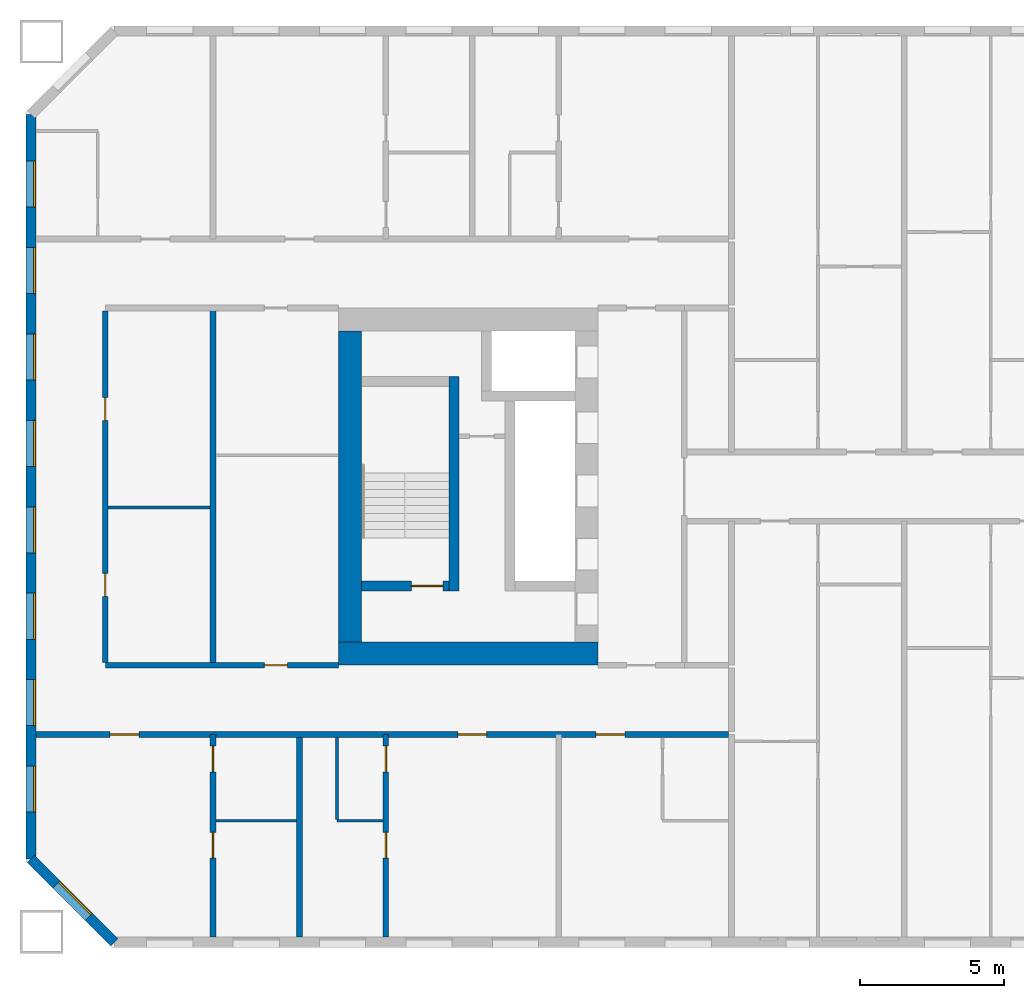
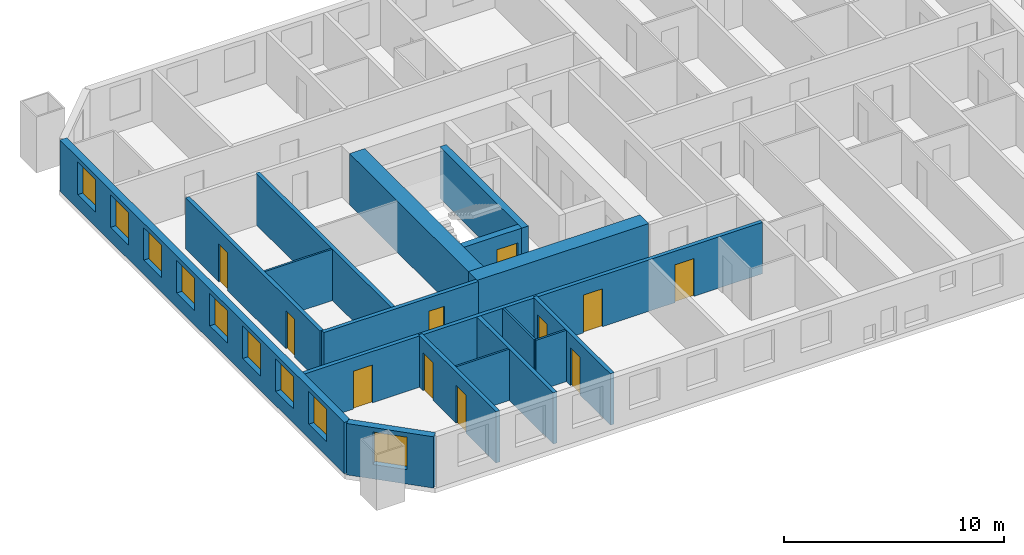
# One storey, part 2 of 16: 17 walls, 11 doors, 9 windows, 20 openings.
"""IFC4 building model written with IfcOpenShell, lengths in metres."""

from ifc_helpers import new_model, si_unit, direction, frame, frame_2d, origin, place, context, subcontext, project, spatial, rectangle, extrude, material, layer, layer_set, type_object, element, fill, save


model = new_model("IFC4")

# Units and contexts
model_context = context("Model", 3, precision=1e-05, world=origin(), true_north=direction((0.0, 1.0)))
body_context = subcontext(model_context, "Body", "Model", "MODEL_VIEW")
ifc_project = project(units=[si_unit("LENGTHUNIT", "METRE"), si_unit("AREAUNIT", "SQUARE_METRE"), si_unit("VOLUMEUNIT", "CUBIC_METRE"), si_unit("PLANEANGLEUNIT", "RADIAN"), si_unit("MASSUNIT", "GRAM", prefix="KILO")], contexts=[model_context])

# Site, building, storey
site_placement = place(None, origin())
site = spatial("IfcSite", under=ifc_project, at=site_placement, CompositionType="ELEMENT")
building_placement = place(site_placement, origin())
building = spatial("IfcBuilding", under=site, at=building_placement, Name="Tuart Gate Housing", CompositionType="ELEMENT")
storey_placement = place(building_placement, frame((0.0, 0.0, 59.800048828125)))
storey = spatial("IfcBuildingStorey", under=building, at=storey_placement, Name="L16", CompositionType="ELEMENT", Elevation=59.800048828125)

# Wall, opening, window
ifc_material_1 = material(Name="Brick", Category="masonry")
ifc_layer_1 = layer(ifc_material_1, 0.360107421875)
ifc_layer_set_1 = layer_set([ifc_layer_1], Name="Brick pier and spandrel wall 360")
wall_type_1 = type_object("IfcWallType", Name="Brick pier and spandrel wall 360", PredefinedType="STANDARD", material=ifc_layer_set_1)
wall_1_placement = place(storey_placement, frame((21.679931640625, 57.07470703125, 0.0), z_axis=(0.0, 0.0, 1.0), x_axis=(0.707106781187, -0.707106781187, 0.0)))
wall_1 = element("IfcWall", 1, at=wall_1_placement, inside=storey, type_object=wall_type_1, Name="External wall A-SW L16", PredefinedType="STANDARD", context=body_context, shape_type="SweptSolid", body=[
    extrude(rectangle(XDim=4.09375, YDim=0.360107421875, at=frame_2d((2.046875, 0.0))), origin(), (0.0, 0.0, 1.0), 2.849853515625),
])
opening_1_placement = place(wall_1_placement, frame((1.2470703125, 0.0, 0.800048828125)))
opening_1 = element("IfcOpeningElement", 2, at=opening_1_placement, cuts=wall_1, Name="Opening W1", PredefinedType="OPENING", context=body_context, shape_type="SweptSolid", body=[
    extrude(rectangle(XDim=1.60009765625, YDim=1.800048828125, at=frame_2d((0.800048828125, 0.89990234375))), frame((0.0, 0.18994140625, 0.0), z_axis=(0.0, -1.0, 0.0), x_axis=(1.0, 0.0, 0.0)), (0.0, 0.0, 1.0), 0.380126953125),
])
ifc_material_2 = material(Name="Aluminium frame with clear glass", Category="aluminium")
window_type = type_object("IfcWindowType", Name="Punched window 1600 x 1800", PartitioningType="SINGLE_PANEL", PredefinedType="WINDOW", material=ifc_material_2)
window_1_placement = place(opening_1_placement, origin())
window_1 = element("IfcWindow", 3, at=window_1_placement, inside=storey, type_object=window_type, Name="Window W1", OverallHeight=1.800048828125, OverallWidth=1.60009765625, PartitioningType="SINGLE_PANEL", PredefinedType="WINDOW", context=body_context, shape_type="SweptSolid", body=[
    extrude(rectangle(XDim=1.60009765625, YDim=1.800048828125, at=frame_2d((0.800048828125, 0.89990234375))), frame((0.0, 0.150146484375, 0.0), z_axis=(0.0, -1.0, 0.0), x_axis=(1.0, 0.0, 0.0)), (0.0, 0.0, 1.0), 0.06005859375),
])
fill(opening_1, window_1)

# Wall, openings, windows
wall_2_placement = place(storey_placement, frame((21.679931640625, 82.92529296875, 0.0), z_axis=(0.0, 0.0, 1.0), x_axis=(0.0, -1.0, 0.0)))
wall_2 = element("IfcWall", 4, at=wall_2_placement, inside=storey, type_object=wall_type_1, Name="External wall A-W L16", PredefinedType="STANDARD", context=body_context, shape_type="SweptSolid", body=[
    extrude(rectangle(XDim=25.850830078125, YDim=0.360107421875, at=frame_2d((12.92529296875, 0.0))), origin(), (0.0, 0.0, 1.0), 2.849853515625),
])
opening_2_placement = place(wall_2_placement, frame((1.62548828125, 0.0, 0.800048828125)))
opening_2 = element("IfcOpeningElement", 5, at=opening_2_placement, cuts=wall_2, Name="Opening W1", PredefinedType="OPENING", context=body_context, shape_type="SweptSolid", body=[
    extrude(rectangle(XDim=1.60009765625, YDim=1.800048828125, at=frame_2d((0.800048828125, 0.89990234375))), frame((0.0, 0.18994140625, 0.0), z_axis=(0.0, -1.0, 0.0), x_axis=(1.0, 0.0, 0.0)), (0.0, 0.0, 1.0), 0.380126953125),
])
opening_3_placement = place(wall_2_placement, frame((4.62548828125, 0.0, 0.800048828125)))
opening_3 = element("IfcOpeningElement", 6, at=opening_3_placement, cuts=wall_2, Name="Opening W1", PredefinedType="OPENING", context=body_context, shape_type="SweptSolid", body=[
    extrude(rectangle(XDim=1.60009765625, YDim=1.800048828125, at=frame_2d((0.800048828125, 0.89990234375))), frame((0.0, 0.18994140625, 0.0), z_axis=(0.0, -1.0, 0.0), x_axis=(1.0, 0.0, 0.0)), (0.0, 0.0, 1.0), 0.380126953125),
])
opening_4_placement = place(wall_2_placement, frame((7.62548828125, 0.0, 0.800048828125)))
opening_4 = element("IfcOpeningElement", 7, at=opening_4_placement, cuts=wall_2, Name="Opening W1", PredefinedType="OPENING", context=body_context, shape_type="SweptSolid", body=[
    extrude(rectangle(XDim=1.60009765625, YDim=1.800048828125, at=frame_2d((0.800048828125, 0.89990234375))), frame((0.0, 0.18994140625, 0.0), z_axis=(0.0, -1.0, 0.0), x_axis=(1.0, 0.0, 0.0)), (0.0, 0.0, 1.0), 0.380126953125),
])
opening_5_placement = place(wall_2_placement, frame((10.62548828125, 0.0, 0.800048828125)))
opening_5 = element("IfcOpeningElement", 8, at=opening_5_placement, cuts=wall_2, Name="Opening W1", PredefinedType="OPENING", context=body_context, shape_type="SweptSolid", body=[
    extrude(rectangle(XDim=1.60009765625, YDim=1.800048828125, at=frame_2d((0.800048828125, 0.89990234375))), frame((0.0, 0.18994140625, 0.0), z_axis=(0.0, -1.0, 0.0), x_axis=(1.0, 0.0, 0.0)), (0.0, 0.0, 1.0), 0.380126953125),
])
opening_6_placement = place(wall_2_placement, frame((13.62548828125, 0.0, 0.800048828125)))
opening_6 = element("IfcOpeningElement", 9, at=opening_6_placement, cuts=wall_2, Name="Opening W1", PredefinedType="OPENING", context=body_context, shape_type="SweptSolid", body=[
    extrude(rectangle(XDim=1.60009765625, YDim=1.800048828125, at=frame_2d((0.800048828125, 0.89990234375))), frame((0.0, 0.18994140625, 0.0), z_axis=(0.0, -1.0, 0.0), x_axis=(1.0, 0.0, 0.0)), (0.0, 0.0, 1.0), 0.380126953125),
])
opening_7_placement = place(wall_2_placement, frame((16.62548828125, 0.0, 0.800048828125)))
opening_7 = element("IfcOpeningElement", 10, at=opening_7_placement, cuts=wall_2, Name="Opening W1", PredefinedType="OPENING", context=body_context, shape_type="SweptSolid", body=[
    extrude(rectangle(XDim=1.60009765625, YDim=1.800048828125, at=frame_2d((0.800048828125, 0.89990234375))), frame((0.0, 0.18994140625, 0.0), z_axis=(0.0, -1.0, 0.0), x_axis=(1.0, 0.0, 0.0)), (0.0, 0.0, 1.0), 0.380126953125),
])
opening_8_placement = place(wall_2_placement, frame((19.62548828125, 0.0, 0.800048828125)))
opening_8 = element("IfcOpeningElement", 11, at=opening_8_placement, cuts=wall_2, Name="Opening W1", PredefinedType="OPENING", context=body_context, shape_type="SweptSolid", body=[
    extrude(rectangle(XDim=1.60009765625, YDim=1.800048828125, at=frame_2d((0.800048828125, 0.89990234375))), frame((0.0, 0.18994140625, 0.0), z_axis=(0.0, -1.0, 0.0), x_axis=(1.0, 0.0, 0.0)), (0.0, 0.0, 1.0), 0.380126953125),
])
opening_9_placement = place(wall_2_placement, frame((22.62548828125, 0.0, 0.800048828125)))
opening_9 = element("IfcOpeningElement", 12, at=opening_9_placement, cuts=wall_2, Name="Opening W1", PredefinedType="OPENING", context=body_context, shape_type="SweptSolid", body=[
    extrude(rectangle(XDim=1.60009765625, YDim=1.800048828125, at=frame_2d((0.800048828125, 0.89990234375))), frame((0.0, 0.18994140625, 0.0), z_axis=(0.0, -1.0, 0.0), x_axis=(1.0, 0.0, 0.0)), (0.0, 0.0, 1.0), 0.380126953125),
])
window_2_placement = place(opening_2_placement, origin())
window_2 = element("IfcWindow", 13, at=window_2_placement, inside=storey, type_object=window_type, Name="Window W1", OverallHeight=1.800048828125, OverallWidth=1.60009765625, PartitioningType="SINGLE_PANEL", PredefinedType="WINDOW", context=body_context, shape_type="SweptSolid", body=[
    extrude(rectangle(XDim=1.60009765625, YDim=1.800048828125, at=frame_2d((0.800048828125, 0.89990234375))), frame((0.0, 0.150146484375, 0.0), z_axis=(0.0, -1.0, 0.0), x_axis=(1.0, 0.0, 0.0)), (0.0, 0.0, 1.0), 0.06005859375),
])
fill(opening_2, window_2)
window_3_placement = place(opening_3_placement, origin())
window_3 = element("IfcWindow", 14, at=window_3_placement, inside=storey, type_object=window_type, Name="Window W1", OverallHeight=1.800048828125, OverallWidth=1.60009765625, PartitioningType="SINGLE_PANEL", PredefinedType="WINDOW", context=body_context, shape_type="SweptSolid", body=[
    extrude(rectangle(XDim=1.60009765625, YDim=1.800048828125, at=frame_2d((0.800048828125, 0.89990234375))), frame((0.0, 0.150146484375, 0.0), z_axis=(0.0, -1.0, 0.0), x_axis=(1.0, 0.0, 0.0)), (0.0, 0.0, 1.0), 0.06005859375),
])
fill(opening_3, window_3)
window_4_placement = place(opening_4_placement, origin())
window_4 = element("IfcWindow", 15, at=window_4_placement, inside=storey, type_object=window_type, Name="Window W1", OverallHeight=1.800048828125, OverallWidth=1.60009765625, PartitioningType="SINGLE_PANEL", PredefinedType="WINDOW", context=body_context, shape_type="SweptSolid", body=[
    extrude(rectangle(XDim=1.60009765625, YDim=1.800048828125, at=frame_2d((0.800048828125, 0.89990234375))), frame((0.0, 0.150146484375, 0.0), z_axis=(0.0, -1.0, 0.0), x_axis=(1.0, 0.0, 0.0)), (0.0, 0.0, 1.0), 0.06005859375),
])
fill(opening_4, window_4)
window_5_placement = place(opening_5_placement, origin())
window_5 = element("IfcWindow", 16, at=window_5_placement, inside=storey, type_object=window_type, Name="Window W1", OverallHeight=1.800048828125, OverallWidth=1.60009765625, PartitioningType="SINGLE_PANEL", PredefinedType="WINDOW", context=body_context, shape_type="SweptSolid", body=[
    extrude(rectangle(XDim=1.60009765625, YDim=1.800048828125, at=frame_2d((0.800048828125, 0.89990234375))), frame((0.0, 0.150146484375, 0.0), z_axis=(0.0, -1.0, 0.0), x_axis=(1.0, 0.0, 0.0)), (0.0, 0.0, 1.0), 0.06005859375),
])
fill(opening_5, window_5)
window_6_placement = place(opening_6_placement, origin())
window_6 = element("IfcWindow", 17, at=window_6_placement, inside=storey, type_object=window_type, Name="Window W1", OverallHeight=1.800048828125, OverallWidth=1.60009765625, PartitioningType="SINGLE_PANEL", PredefinedType="WINDOW", context=body_context, shape_type="SweptSolid", body=[
    extrude(rectangle(XDim=1.60009765625, YDim=1.800048828125, at=frame_2d((0.800048828125, 0.89990234375))), frame((0.0, 0.150146484375, 0.0), z_axis=(0.0, -1.0, 0.0), x_axis=(1.0, 0.0, 0.0)), (0.0, 0.0, 1.0), 0.06005859375),
])
fill(opening_6, window_6)
window_7_placement = place(opening_7_placement, origin())
window_7 = element("IfcWindow", 18, at=window_7_placement, inside=storey, type_object=window_type, Name="Window W1", OverallHeight=1.800048828125, OverallWidth=1.60009765625, PartitioningType="SINGLE_PANEL", PredefinedType="WINDOW", context=body_context, shape_type="SweptSolid", body=[
    extrude(rectangle(XDim=1.60009765625, YDim=1.800048828125, at=frame_2d((0.800048828125, 0.89990234375))), frame((0.0, 0.150146484375, 0.0), z_axis=(0.0, -1.0, 0.0), x_axis=(1.0, 0.0, 0.0)), (0.0, 0.0, 1.0), 0.06005859375),
])
fill(opening_7, window_7)
window_8_placement = place(opening_8_placement, origin())
window_8 = element("IfcWindow", 19, at=window_8_placement, inside=storey, type_object=window_type, Name="Window W1", OverallHeight=1.800048828125, OverallWidth=1.60009765625, PartitioningType="SINGLE_PANEL", PredefinedType="WINDOW", context=body_context, shape_type="SweptSolid", body=[
    extrude(rectangle(XDim=1.60009765625, YDim=1.800048828125, at=frame_2d((0.800048828125, 0.89990234375))), frame((0.0, 0.150146484375, 0.0), z_axis=(0.0, -1.0, 0.0), x_axis=(1.0, 0.0, 0.0)), (0.0, 0.0, 1.0), 0.06005859375),
])
fill(opening_8, window_8)
window_9_placement = place(opening_9_placement, origin())
window_9 = element("IfcWindow", 20, at=window_9_placement, inside=storey, type_object=window_type, Name="Window W1", OverallHeight=1.800048828125, OverallWidth=1.60009765625, PartitioningType="SINGLE_PANEL", PredefinedType="WINDOW", context=body_context, shape_type="SweptSolid", body=[
    extrude(rectangle(XDim=1.60009765625, YDim=1.800048828125, at=frame_2d((0.800048828125, 0.89990234375))), frame((0.0, 0.150146484375, 0.0), z_axis=(0.0, -1.0, 0.0), x_axis=(1.0, 0.0, 0.0)), (0.0, 0.0, 1.0), 0.06005859375),
])
fill(opening_9, window_9)

# Wall, opening, door
ifc_material_3 = material(Name="Concrete C60", Category="concrete")
ifc_layer_2 = layer(ifc_material_3, 0.35009765625)
ifc_layer_set_2 = layer_set([ifc_layer_2], Name="Core wall 350 C60")
wall_type_2 = type_object("IfcWallType", Name="Core wall 350 C60", PredefinedType="SHEAR", material=ifc_layer_set_2)
wall_3_placement = place(storey_placement, frame((36.18505859375, 66.550048828125, 0.0), z_axis=(0.0, 0.0, 1.0), x_axis=(-1.0, 0.0, 0.0)))
wall_3 = element("IfcWall", 21, at=wall_3_placement, inside=storey, type_object=wall_type_2, Name="Core wall AK.5", PredefinedType="SHEAR", context=body_context, shape_type="SweptSolid", body=[
    extrude(rectangle(XDim=3.025146484375, YDim=0.35009765625, at=frame_2d((1.5126953125, 0.0))), origin(), (0.0, 0.0, 1.0), 2.849853515625),
])
opening_10_placement = place(wall_3_placement, frame((0.195068359375, 0.0, 0.0)))
opening_10 = element("IfcOpeningElement", 22, at=opening_10_placement, cuts=wall_3, Name="Opening D753", PredefinedType="OPENING", context=body_context, shape_type="SweptSolid", body=[
    extrude(rectangle(XDim=1.10009765625, YDim=2.10009765625, at=frame_2d((0.550048828125, 1.050048828125))), frame((0.0, 0.18505859375, 0.0), z_axis=(0.0, -1.0, 0.0), x_axis=(1.0, 0.0, 0.0)), (0.0, 0.0, 1.0), 0.3701171875),
])
ifc_material_4 = material(Name="Steel fire door", Category="steel")
door_type_1 = type_object("IfcDoorType", Name="Stair door 1100 x 2100 RH", OperationType="SINGLE_SWING_RIGHT", PredefinedType="DOOR", material=ifc_material_4)
door_1_placement = place(opening_10_placement, frame((1.10009765625, 0.0, 0.0), z_axis=(0.0, 0.0, 1.0), x_axis=(-1.0, 0.0, 0.0)))
door_1 = element("IfcDoor", 23, at=door_1_placement, inside=storey, type_object=door_type_1, Name="Stair door AK.SD", OperationType="SINGLE_SWING_RIGHT", OverallHeight=2.10009765625, OverallWidth=1.10009765625, PredefinedType="DOOR", context=body_context, shape_type="SweptSolid", body=[
    extrude(rectangle(XDim=1.10009765625, YDim=2.10009765625, at=frame_2d((0.550048828125, 1.050048828125))), frame((0.0, 0.025146484375, 0.0), z_axis=(0.0, -1.0, 0.0), x_axis=(1.0, 0.0, 0.0)), (0.0, 0.0, 1.0), 0.050048828125),
])
fill(opening_10, door_1)

# Walls
wall_4_placement = place(storey_placement, frame((36.360107421875, 73.824951171875, 0.0), z_axis=(0.0, 0.0, 1.0), x_axis=(0.0, -1.0, 0.0)))
element("IfcWall", 24, at=wall_4_placement, inside=storey, type_object=wall_type_2, Name="Core wall AK.8", PredefinedType="SHEAR", context=body_context, shape_type="SweptSolid", body=[
    extrude(rectangle(XDim=7.449951171875, YDim=0.35009765625, at=frame_2d((3.72509765625, 0.0))), origin(), (0.0, 0.0, 1.0), 2.849853515625),
])
ifc_material_5 = material(Name="Concrete C60", Category="concrete")
ifc_layer_3 = layer(ifc_material_5, 0.800048828125)
ifc_layer_set_3 = layer_set([ifc_layer_3], Name="Core wall 800 C60")
wall_type_3 = type_object("IfcWallType", Name="Core wall 800 C60", PredefinedType="SHEAR", material=ifc_layer_set_3)
wall_5_placement = place(storey_placement, frame((32.760009765625, 75.39990234375, 0.0), z_axis=(0.0, 0.0, 1.0), x_axis=(0.0, -1.0, 0.0)))
element("IfcWall", 25, at=wall_5_placement, inside=storey, type_object=wall_type_3, Name="Core wall AK back", PredefinedType="SHEAR", context=body_context, shape_type="SweptSolid", body=[
    extrude(rectangle(XDim=10.7998046875, YDim=0.800048828125, at=frame_2d((5.39990234375, 0.0))), origin(), (0.0, 0.0, 1.0), 2.849853515625),
])
wall_6_placement = place(storey_placement, frame((41.360107421875, 64.199951171875, 0.0), z_axis=(0.0, 0.0, 1.0), x_axis=(-1.0, 0.0, 0.0)))
element("IfcWall", 26, at=wall_6_placement, inside=storey, type_object=wall_type_3, Name="Core wall AK north", PredefinedType="SHEAR", context=body_context, shape_type="SweptSolid", body=[
    extrude(rectangle(XDim=9.0, YDim=0.800048828125, at=frame_2d((4.5, 0.0))), origin(), (0.0, 0.0, 1.0), 2.849853515625),
])

# Wall, openings, doors
ifc_material_6 = material(Name="Concrete masonry 15 MPa", Category="masonry")
ifc_layer_4 = layer(ifc_material_6, 0.199951171875)
ifc_layer_set_4 = layer_set([ifc_layer_4], Name="Corridor wall masonry 200")
wall_type_4 = type_object("IfcWallType", Name="Corridor wall masonry 200", PredefinedType="PARTITIONING", material=ifc_layer_set_4)
wall_7_placement = place(storey_placement, frame((21.860107421875, 61.39990234375, 0.0), z_axis=(0.0, 0.0, 1.0), x_axis=(1.0, 0.0, 0.0)))
wall_7 = element("IfcWall", 27, at=wall_7_placement, inside=storey, type_object=wall_type_4, Name="Corridor wall masonry 200", PredefinedType="PARTITIONING", context=body_context, shape_type="SweptSolid", body=[
    extrude(rectangle(XDim=24.039794921875, YDim=0.199951171875, at=frame_2d((12.02001953125, 0.0))), origin(), (0.0, 0.0, 1.0), 2.849853515625),
])
opening_11_placement = place(wall_7_placement, frame((19.43994140625, 0.0, 0.0)))
opening_11 = element("IfcOpeningElement", 28, at=opening_11_placement, cuts=wall_7, Name="Opening D764", PredefinedType="OPENING", context=body_context, shape_type="SweptSolid", body=[
    extrude(rectangle(XDim=1.0, YDim=2.10009765625, at=frame_2d((0.5, 1.050048828125))), frame((0.0, 0.10986328125, 0.0), z_axis=(0.0, -1.0, 0.0), x_axis=(1.0, 0.0, 0.0)), (0.0, 0.0, 1.0), 0.219970703125),
])
opening_12_placement = place(wall_7_placement, frame((14.639892578125, 0.0, 0.0)))
opening_12 = element("IfcOpeningElement", 29, at=opening_12_placement, cuts=wall_7, Name="Opening D765", PredefinedType="OPENING", context=body_context, shape_type="SweptSolid", body=[
    extrude(rectangle(XDim=1.0, YDim=2.10009765625, at=frame_2d((0.5, 1.050048828125))), frame((0.0, 0.10986328125, 0.0), z_axis=(0.0, -1.0, 0.0), x_axis=(1.0, 0.0, 0.0)), (0.0, 0.0, 1.0), 0.219970703125),
])
opening_13_placement = place(wall_7_placement, frame((2.570068359375, 0.0, 0.0)))
opening_13 = element("IfcOpeningElement", 30, at=opening_13_placement, cuts=wall_7, Name="Opening D766", PredefinedType="OPENING", context=body_context, shape_type="SweptSolid", body=[
    extrude(rectangle(XDim=1.0, YDim=2.10009765625, at=frame_2d((0.5, 1.050048828125))), frame((0.0, 0.10986328125, 0.0), z_axis=(0.0, -1.0, 0.0), x_axis=(1.0, 0.0, 0.0)), (0.0, 0.0, 1.0), 0.219970703125),
])
ifc_material_7 = material(Name="Timber door leaf in steel frame", Category="steel")
door_type_2 = type_object("IfcDoorType", Name="Flat entrance door 1000 RH", OperationType="SINGLE_SWING_RIGHT", PredefinedType="DOOR", material=ifc_material_7)
door_2_placement = place(opening_11_placement, frame((1.0, 0.0, 0.0), z_axis=(0.0, 0.0, 1.0), x_axis=(-1.0, 0.0, 0.0)))
door_2 = element("IfcDoor", 31, at=door_2_placement, inside=storey, type_object=door_type_2, Name="Flat entrance door", OperationType="SINGLE_SWING_RIGHT", OverallHeight=2.10009765625, OverallWidth=1.0, PredefinedType="DOOR", context=body_context, shape_type="SweptSolid", body=[
    extrude(rectangle(XDim=1.0, YDim=2.10009765625, at=frame_2d((0.5, 1.050048828125))), frame((0.0, 0.025146484375, 0.0), z_axis=(0.0, -1.0, 0.0), x_axis=(1.0, 0.0, 0.0)), (0.0, 0.0, 1.0), 0.050048828125),
])
fill(opening_11, door_2)
door_3_placement = place(opening_12_placement, frame((1.0, 0.0, 0.0), z_axis=(0.0, 0.0, 1.0), x_axis=(-1.0, 0.0, 0.0)))
door_3 = element("IfcDoor", 32, at=door_3_placement, inside=storey, type_object=door_type_2, Name="Flat entrance door", OperationType="SINGLE_SWING_RIGHT", OverallHeight=2.10009765625, OverallWidth=1.0, PredefinedType="DOOR", context=body_context, shape_type="SweptSolid", body=[
    extrude(rectangle(XDim=1.0, YDim=2.10009765625, at=frame_2d((0.5, 1.050048828125))), frame((0.0, 0.025146484375, 0.0), z_axis=(0.0, -1.0, 0.0), x_axis=(1.0, 0.0, 0.0)), (0.0, 0.0, 1.0), 0.050048828125),
])
fill(opening_12, door_3)
door_4_placement = place(opening_13_placement, frame((1.0, 0.0, 0.0), z_axis=(0.0, 0.0, 1.0), x_axis=(-1.0, 0.0, 0.0)))
door_4 = element("IfcDoor", 33, at=door_4_placement, inside=storey, type_object=door_type_2, Name="Flat entrance door", OperationType="SINGLE_SWING_RIGHT", OverallHeight=2.10009765625, OverallWidth=1.0, PredefinedType="DOOR", context=body_context, shape_type="SweptSolid", body=[
    extrude(rectangle(XDim=1.0, YDim=2.10009765625, at=frame_2d((0.5, 1.050048828125))), frame((0.0, 0.025146484375, 0.0), z_axis=(0.0, -1.0, 0.0), x_axis=(1.0, 0.0, 0.0)), (0.0, 0.0, 1.0), 0.050048828125),
])
fill(opening_13, door_4)

# Wall, opening, door
wall_8_placement = place(storey_placement, frame((24.260009765625, 63.800048828125, 0.0), z_axis=(0.0, 0.0, 1.0), x_axis=(1.0, 0.0, 0.0)))
wall_8 = element("IfcWall", 34, at=wall_8_placement, inside=storey, type_object=wall_type_4, Name="Corridor wall masonry 200", PredefinedType="PARTITIONING", context=body_context, shape_type="SweptSolid", body=[
    extrude(rectangle(XDim=8.10009765625, YDim=0.199951171875, at=frame_2d((4.050048828125, 0.0))), origin(), (0.0, 0.0, 1.0), 2.849853515625),
])
opening_14_placement = place(wall_8_placement, frame((5.52001953125, 0.0, 0.0)))
opening_14 = element("IfcOpeningElement", 35, at=opening_14_placement, cuts=wall_8, Name="Opening D754", PredefinedType="OPENING", context=body_context, shape_type="SweptSolid", body=[
    extrude(rectangle(XDim=0.800048828125, YDim=2.10009765625, at=frame_2d((0.39990234375, 1.050048828125))), frame((0.0, 0.10986328125, 0.0), z_axis=(0.0, -1.0, 0.0), x_axis=(1.0, 0.0, 0.0)), (0.0, 0.0, 1.0), 0.219970703125),
])
ifc_material_8 = material(Name="Timber door leaf in steel frame", Category="steel")
door_type_3 = type_object("IfcDoorType", Name="Store door 800", OperationType="SINGLE_SWING_LEFT", PredefinedType="DOOR", material=ifc_material_8)
door_5_placement = place(opening_14_placement, origin())
door_5 = element("IfcDoor", 36, at=door_5_placement, inside=storey, type_object=door_type_3, Name="Store door", OperationType="SINGLE_SWING_LEFT", OverallHeight=2.10009765625, OverallWidth=0.800048828125, PredefinedType="DOOR", context=body_context, shape_type="SweptSolid", body=[
    extrude(rectangle(XDim=0.800048828125, YDim=2.10009765625, at=frame_2d((0.39990234375, 1.050048828125))), frame((0.0, 0.02490234375, 0.0), z_axis=(0.0, -1.0, 0.0), x_axis=(1.0, 0.0, 0.0)), (0.0, 0.0, 1.0), 0.050048828125),
])
fill(opening_14, door_5)

# Wall, openings, doors
wall_9_placement = place(storey_placement, frame((24.260009765625, 63.89990234375, 0.0), z_axis=(0.0, 0.0, 1.0), x_axis=(0.0, 1.0, 0.0)))
wall_9 = element("IfcWall", 37, at=wall_9_placement, inside=storey, type_object=wall_type_4, Name="Corridor wall masonry 200", PredefinedType="PARTITIONING", context=body_context, shape_type="SweptSolid", body=[
    extrude(rectangle(XDim=12.2001953125, YDim=0.199951171875, at=frame_2d((6.10009765625, 0.0))), origin(), (0.0, 0.0, 1.0), 2.849853515625),
])
opening_15_placement = place(wall_9_placement, frame((2.2900390625, 0.0, 0.0)))
opening_15 = element("IfcOpeningElement", 38, at=opening_15_placement, cuts=wall_9, Name="Opening D742", PredefinedType="OPENING", context=body_context, shape_type="SweptSolid", body=[
    extrude(rectangle(XDim=0.800048828125, YDim=2.10009765625, at=frame_2d((0.39990234375, 1.050048828125))), frame((0.0, 0.10986328125, 0.0), z_axis=(0.0, -1.0, 0.0), x_axis=(1.0, 0.0, 0.0)), (0.0, 0.0, 1.0), 0.219970703125),
])
opening_16_placement = place(wall_9_placement, frame((8.389892578125, 0.0, 0.0)))
opening_16 = element("IfcOpeningElement", 39, at=opening_16_placement, cuts=wall_9, Name="Opening D743", PredefinedType="OPENING", context=body_context, shape_type="SweptSolid", body=[
    extrude(rectangle(XDim=0.800048828125, YDim=2.10009765625, at=frame_2d((0.39990234375, 1.050048828125))), frame((0.0, 0.10986328125, 0.0), z_axis=(0.0, -1.0, 0.0), x_axis=(1.0, 0.0, 0.0)), (0.0, 0.0, 1.0), 0.219970703125),
])
door_6_placement = place(opening_15_placement, frame((0.800048828125, 0.0, 0.0), z_axis=(0.0, 0.0, 1.0), x_axis=(-1.0, 0.0, 0.0)))
door_6 = element("IfcDoor", 40, at=door_6_placement, inside=storey, type_object=door_type_3, Name="Store door", OperationType="SINGLE_SWING_LEFT", OverallHeight=2.10009765625, OverallWidth=0.800048828125, PredefinedType="DOOR", context=body_context, shape_type="SweptSolid", body=[
    extrude(rectangle(XDim=0.800048828125, YDim=2.10009765625, at=frame_2d((0.400146484375, 1.050048828125))), frame((0.0, 0.025146484375, 0.0), z_axis=(0.0, -1.0, 0.0), x_axis=(1.0, 0.0, 0.0)), (0.0, 0.0, 1.0), 0.050048828125),
])
fill(opening_15, door_6)
ifc_material_9 = material(Name="Timber door leaf in steel frame", Category="steel")
door_type_4 = type_object("IfcDoorType", Name="Store door 800 RH", OperationType="SINGLE_SWING_RIGHT", PredefinedType="DOOR", material=ifc_material_9)
door_7_placement = place(opening_16_placement, frame((0.800048828125, 0.0, 0.0), z_axis=(0.0, 0.0, 1.0), x_axis=(-1.0, 0.0, 0.0)))
door_7 = element("IfcDoor", 41, at=door_7_placement, inside=storey, type_object=door_type_4, Name="Store door", OperationType="SINGLE_SWING_RIGHT", OverallHeight=2.10009765625, OverallWidth=0.800048828125, PredefinedType="DOOR", context=body_context, shape_type="SweptSolid", body=[
    extrude(rectangle(XDim=0.800048828125, YDim=2.10009765625, at=frame_2d((0.400146484375, 1.050048828125))), frame((0.0, 0.025146484375, 0.0), z_axis=(0.0, -1.0, 0.0), x_axis=(1.0, 0.0, 0.0)), (0.0, 0.0, 1.0), 0.050048828125),
])
fill(opening_16, door_7)

# Walls
ifc_material_10 = material(Name="Gypsum board on steel studs", Category="steel")
ifc_layer_5 = layer(ifc_material_10, 0.10009765625)
ifc_layer_set_5 = layer_set([ifc_layer_5], Name="Partition 100")
wall_type_5 = type_object("IfcWallType", Name="Partition 100", PredefinedType="PARTITIONING", material=ifc_layer_set_5)
wall_10_placement = place(storey_placement, frame((28.10009765625, 58.39990234375, 0.0), z_axis=(0.0, 0.0, 1.0), x_axis=(1.0, 0.0, 0.0)))
element("IfcWall", 42, at=wall_10_placement, inside=storey, type_object=wall_type_5, Name="Partition 100", PredefinedType="PARTITIONING", context=body_context, shape_type="SweptSolid", body=[
    extrude(rectangle(XDim=2.7998046875, YDim=0.10009765625, at=frame_2d((1.39990234375, 0.0))), origin(), (0.0, 0.0, 1.0), 2.849853515625),
])
wall_11_placement = place(storey_placement, frame((32.300048828125, 58.39990234375, 0.0), z_axis=(0.0, 0.0, 1.0), x_axis=(1.0, 0.0, 0.0)))
element("IfcWall", 43, at=wall_11_placement, inside=storey, type_object=wall_type_5, Name="Partition 100", PredefinedType="PARTITIONING", context=body_context, shape_type="SweptSolid", body=[
    extrude(rectangle(XDim=1.599853515625, YDim=0.10009765625, at=frame_2d((0.7998046875, 0.0))), origin(), (0.0, 0.0, 1.0), 2.849853515625),
])
wall_12_placement = place(storey_placement, frame((24.360107421875, 69.280029296875, 0.0), z_axis=(0.0, 0.0, 1.0), x_axis=(1.0, 0.0, 0.0)))
element("IfcWall", 44, at=wall_12_placement, inside=storey, type_object=wall_type_5, Name="Partition 100", PredefinedType="PARTITIONING", context=body_context, shape_type="SweptSolid", body=[
    extrude(rectangle(XDim=3.539794921875, YDim=0.10009765625, at=frame_2d((1.77001953125, 0.0))), origin(), (0.0, 0.0, 1.0), 2.849853515625),
])
wall_13_placement = place(storey_placement, frame((32.300048828125, 58.449951171875, 0.0), z_axis=(0.0, 0.0, 1.0), x_axis=(0.0, 1.0, 0.0)))
element("IfcWall", 45, at=wall_13_placement, inside=storey, type_object=wall_type_5, Name="Partition 100", PredefinedType="PARTITIONING", context=body_context, shape_type="SweptSolid", body=[
    extrude(rectangle(XDim=2.85009765625, YDim=0.10009765625, at=frame_2d((1.425048828125, 0.0))), origin(), (0.0, 0.0, 1.0), 2.849853515625),
])

# Wall, openings, doors
ifc_material_11 = material(Name="Concrete C40", Category="concrete")
ifc_layer_6 = layer(ifc_material_11, 0.199951171875)
ifc_layer_set_6 = layer_set([ifc_layer_6], Name="Party wall concrete C40 200")
wall_type_6 = type_object("IfcWallType", Name="Party wall concrete C40 200", PredefinedType="SOLIDWALL", material=ifc_layer_set_6)
wall_14_placement = place(storey_placement, frame((28.0, 54.360107421875, 0.0), z_axis=(0.0, 0.0, 1.0), x_axis=(0.0, 1.0, 0.0)))
wall_14 = element("IfcWall", 46, at=wall_14_placement, inside=storey, type_object=wall_type_6, Name="Party wall concrete C40 200", PredefinedType="SOLIDWALL", context=body_context, shape_type="SweptSolid", body=[
    extrude(rectangle(XDim=7.039794921875, YDim=0.199951171875, at=frame_2d((3.52001953125, 0.0))), origin(), (0.0, 0.0, 1.0), 2.849853515625),
])
opening_17_placement = place(wall_14_placement, frame((2.739990234375, 0.0, 0.0)))
opening_17 = element("IfcOpeningElement", 47, at=opening_17_placement, cuts=wall_14, Name="Opening D775", PredefinedType="OPENING", context=body_context, shape_type="SweptSolid", body=[
    extrude(rectangle(XDim=0.89990234375, YDim=2.10009765625, at=frame_2d((0.449951171875, 1.050048828125))), frame((0.0, 0.10986328125, 0.0), z_axis=(0.0, -1.0, 0.0), x_axis=(1.0, 0.0, 0.0)), (0.0, 0.0, 1.0), 0.219970703125),
])
opening_18_placement = place(wall_14_placement, frame((5.739990234375, 0.0, 0.0)))
opening_18 = element("IfcOpeningElement", 48, at=opening_18_placement, cuts=wall_14, Name="Opening D774", PredefinedType="OPENING", context=body_context, shape_type="SweptSolid", body=[
    extrude(rectangle(XDim=0.89990234375, YDim=2.10009765625, at=frame_2d((0.449951171875, 1.050048828125))), frame((0.0, 0.10986328125, 0.0), z_axis=(0.0, -1.0, 0.0), x_axis=(1.0, 0.0, 0.0)), (0.0, 0.0, 1.0), 0.219970703125),
])
ifc_material_12 = material(Name="Timber door leaf in steel frame", Category="steel")
door_type_5 = type_object("IfcDoorType", Name="Bathroom door 900", OperationType="SINGLE_SWING_LEFT", PredefinedType="DOOR", material=ifc_material_12)
door_8_placement = place(opening_18_placement, frame((0.89990234375, 0.0, 0.0), z_axis=(0.0, 0.0, 1.0), x_axis=(-1.0, 0.0, 0.0)))
door_8 = element("IfcDoor", 49, at=door_8_placement, inside=storey, type_object=door_type_5, Name="Bathroom door", OperationType="SINGLE_SWING_LEFT", OverallHeight=2.10009765625, OverallWidth=0.89990234375, PredefinedType="DOOR", context=body_context, shape_type="SweptSolid", body=[
    extrude(rectangle(XDim=0.89990234375, YDim=2.10009765625, at=frame_2d((0.449951171875, 1.050048828125))), frame((0.0, 0.025146484375, 0.0), z_axis=(0.0, -1.0, 0.0), x_axis=(1.0, 0.0, 0.0)), (0.0, 0.0, 1.0), 0.050048828125),
])
fill(opening_18, door_8)
ifc_material_13 = material(Name="Timber door leaf in steel frame", Category="steel")
door_type_6 = type_object("IfcDoorType", Name="Internal door 900", OperationType="SINGLE_SWING_LEFT", PredefinedType="DOOR", material=ifc_material_13)
door_9_placement = place(opening_17_placement, frame((0.89990234375, 0.0, 0.0), z_axis=(0.0, 0.0, 1.0), x_axis=(-1.0, 0.0, 0.0)))
door_9 = element("IfcDoor", 50, at=door_9_placement, inside=storey, type_object=door_type_6, Name="Internal door", OperationType="SINGLE_SWING_LEFT", OverallHeight=2.10009765625, OverallWidth=0.89990234375, PredefinedType="DOOR", context=body_context, shape_type="SweptSolid", body=[
    extrude(rectangle(XDim=0.89990234375, YDim=2.10009765625, at=frame_2d((0.449951171875, 1.050048828125))), frame((0.0, 0.025146484375, 0.0), z_axis=(0.0, -1.0, 0.0), x_axis=(1.0, 0.0, 0.0)), (0.0, 0.0, 1.0), 0.050048828125),
])
fill(opening_17, door_9)

# Wall
wall_15_placement = place(storey_placement, frame((28.0, 63.800048828125, 0.0), z_axis=(0.0, 0.0, 1.0), x_axis=(0.0, 1.0, 0.0)))
element("IfcWall", 51, at=wall_15_placement, inside=storey, type_object=wall_type_6, Name="Party wall concrete C40 200", PredefinedType="SOLIDWALL", context=body_context, shape_type="SweptSolid", body=[
    extrude(rectangle(XDim=12.39990234375, YDim=0.199951171875, at=frame_2d((6.199951171875, 0.0))), origin(), (0.0, 0.0, 1.0), 2.849853515625),
])

# Wall, openings, doors
wall_16_placement = place(storey_placement, frame((34.0, 54.360107421875, 0.0), z_axis=(0.0, 0.0, 1.0), x_axis=(0.0, 1.0, 0.0)))
wall_16 = element("IfcWall", 52, at=wall_16_placement, inside=storey, type_object=wall_type_6, Name="Party wall concrete C40 200", PredefinedType="SOLIDWALL", context=body_context, shape_type="SweptSolid", body=[
    extrude(rectangle(XDim=7.039794921875, YDim=0.199951171875, at=frame_2d((3.52001953125, 0.0))), origin(), (0.0, 0.0, 1.0), 2.849853515625),
])
opening_19_placement = place(wall_16_placement, frame((2.739990234375, 0.0, 0.0)))
opening_19 = element("IfcOpeningElement", 53, at=opening_19_placement, cuts=wall_16, Name="Opening D777", PredefinedType="OPENING", context=body_context, shape_type="SweptSolid", body=[
    extrude(rectangle(XDim=0.89990234375, YDim=2.10009765625, at=frame_2d((0.449951171875, 1.050048828125))), frame((0.0, 0.10986328125, 0.0), z_axis=(0.0, -1.0, 0.0), x_axis=(1.0, 0.0, 0.0)), (0.0, 0.0, 1.0), 0.219970703125),
])
opening_20_placement = place(wall_16_placement, frame((5.739990234375, 0.0, 0.0)))
opening_20 = element("IfcOpeningElement", 54, at=opening_20_placement, cuts=wall_16, Name="Opening D776", PredefinedType="OPENING", context=body_context, shape_type="SweptSolid", body=[
    extrude(rectangle(XDim=0.89990234375, YDim=2.10009765625, at=frame_2d((0.449951171875, 1.050048828125))), frame((0.0, 0.10986328125, 0.0), z_axis=(0.0, -1.0, 0.0), x_axis=(1.0, 0.0, 0.0)), (0.0, 0.0, 1.0), 0.219970703125),
])
ifc_material_14 = material(Name="Timber door leaf in steel frame", Category="steel")
door_type_7 = type_object("IfcDoorType", Name="Bathroom door 900 RH", OperationType="SINGLE_SWING_RIGHT", PredefinedType="DOOR", material=ifc_material_14)
door_10_placement = place(opening_20_placement, origin())
door_10 = element("IfcDoor", 55, at=door_10_placement, inside=storey, type_object=door_type_7, Name="Bathroom door", OperationType="SINGLE_SWING_RIGHT", OverallHeight=2.10009765625, OverallWidth=0.89990234375, PredefinedType="DOOR", context=body_context, shape_type="SweptSolid", body=[
    extrude(rectangle(XDim=0.89990234375, YDim=2.10009765625, at=frame_2d((0.449951171875, 1.050048828125))), frame((0.0, 0.02490234375, 0.0), z_axis=(0.0, -1.0, 0.0), x_axis=(1.0, 0.0, 0.0)), (0.0, 0.0, 1.0), 0.050048828125),
])
fill(opening_20, door_10)
ifc_material_15 = material(Name="Timber door leaf in steel frame", Category="steel")
door_type_8 = type_object("IfcDoorType", Name="Internal door 900 RH", OperationType="SINGLE_SWING_RIGHT", PredefinedType="DOOR", material=ifc_material_15)
door_11_placement = place(opening_19_placement, origin())
door_11 = element("IfcDoor", 56, at=door_11_placement, inside=storey, type_object=door_type_8, Name="Internal door", OperationType="SINGLE_SWING_RIGHT", OverallHeight=2.10009765625, OverallWidth=0.89990234375, PredefinedType="DOOR", context=body_context, shape_type="SweptSolid", body=[
    extrude(rectangle(XDim=0.89990234375, YDim=2.10009765625, at=frame_2d((0.449951171875, 1.050048828125))), frame((0.0, 0.02490234375, 0.0), z_axis=(0.0, -1.0, 0.0), x_axis=(1.0, 0.0, 0.0)), (0.0, 0.0, 1.0), 0.050048828125),
])
fill(opening_19, door_11)

# Wall
ifc_material_16 = material(Name="Concrete masonry 15 MPa", Category="masonry")
ifc_layer_7 = layer(ifc_material_16, 0.199951171875)
ifc_layer_set_7 = layer_set([ifc_layer_7], Name="Party wall masonry 200")
wall_type_7 = type_object("IfcWallType", Name="Party wall masonry 200", PredefinedType="PARTITIONING", material=ifc_layer_set_7)
wall_17_placement = place(storey_placement, frame((31.0, 54.360107421875, 0.0), z_axis=(0.0, 0.0, 1.0), x_axis=(0.0, 1.0, 0.0)))
element("IfcWall", 57, at=wall_17_placement, inside=storey, type_object=wall_type_7, Name="Party wall masonry 200", PredefinedType="PARTITIONING", context=body_context, shape_type="SweptSolid", body=[
    extrude(rectangle(XDim=6.93994140625, YDim=0.199951171875, at=frame_2d((3.469970703125, 0.0))), origin(), (0.0, 0.0, 1.0), 2.849853515625),
])

save(model, "model.ifc")
